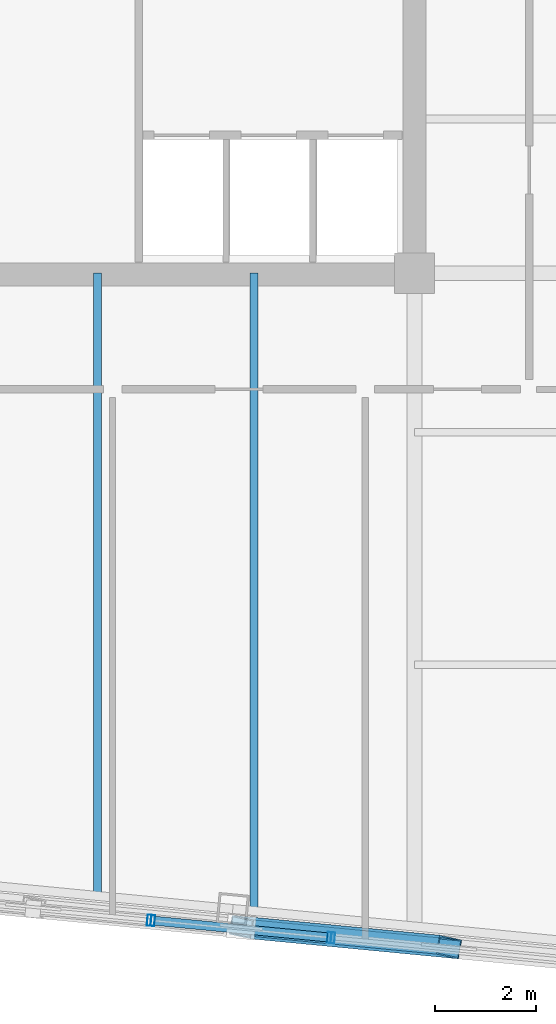
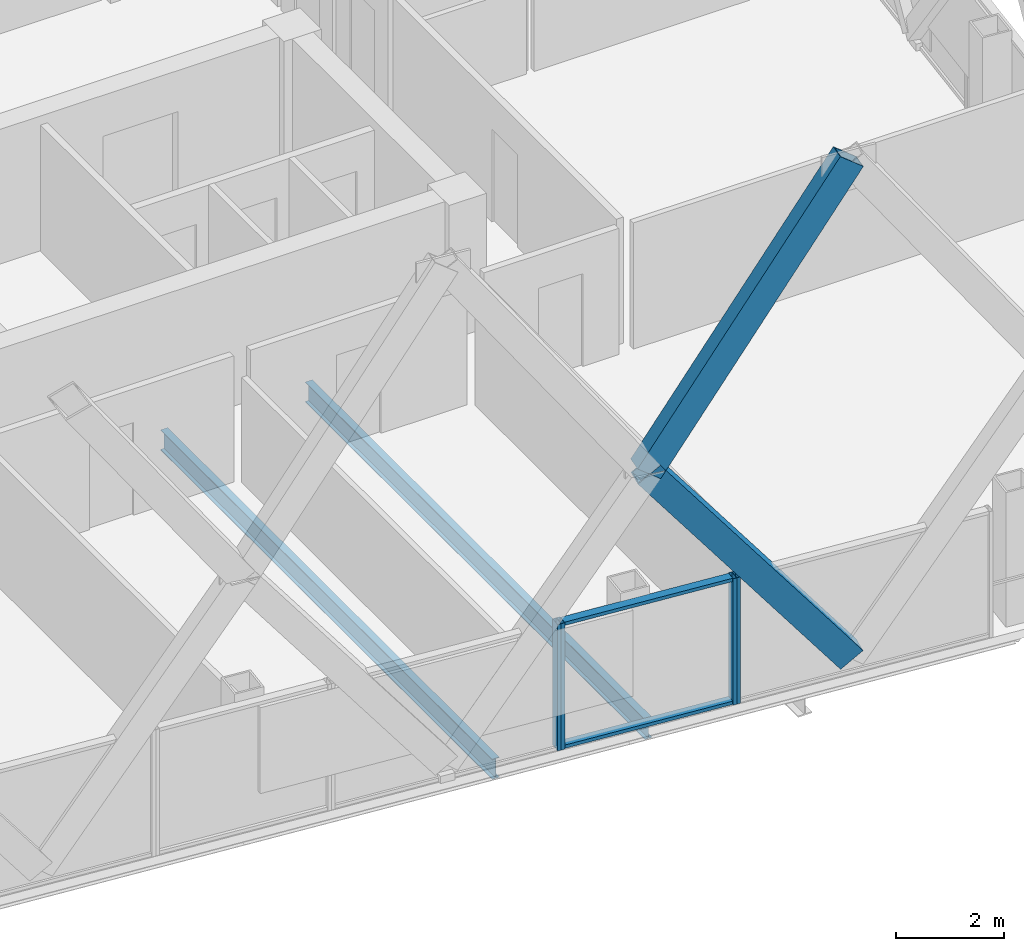
# One storey, part 6 of 25: 8 members, 2 beams, 3 elements without a shape of their own.
"""IFC4 building model written with IfcOpenShell, lengths in metres."""

from ifc_helpers import new_model, si_unit, direction, frame, origin, origin_2d, place, context, subcontext, project, spatial, hollow_rectangle, i_section, extrude, material, layer, layer_set, material_profile, profile_set, type_object, element, aggregate, save


model = new_model("IFC4")

# Units and contexts
model_context = context("Model", 3, precision=1e-05, world=origin(), true_north=direction((0.0, 1.0)))
body_context = subcontext(model_context, "Body", "Model", "MODEL_VIEW")
ifc_project = project(units=[si_unit("LENGTHUNIT", "METRE"), si_unit("AREAUNIT", "SQUARE_METRE"), si_unit("VOLUMEUNIT", "CUBIC_METRE"), si_unit("PLANEANGLEUNIT", "RADIAN"), si_unit("MASSUNIT", "GRAM", prefix="KILO")], contexts=[model_context])

# Site, building, storey
site_placement = place(None, origin())
site = spatial("IfcSite", under=ifc_project, at=site_placement, CompositionType="ELEMENT")
building_placement = place(site_placement, origin())
building = spatial("IfcBuilding", under=site, at=building_placement, Name="Qhalaya Broadcast Tower", CompositionType="ELEMENT")
storey_placement = place(building_placement, frame((0.0, 0.0, 255.050048828125)))
storey = spatial("IfcBuildingStorey", under=building, at=storey_placement, Name="L75", CompositionType="ELEMENT", Elevation=255.050048828125)

# Beams
ifc_material_1 = material(Name="Structural Steel ASTM A992 Grade 50", Category="steel")
ifc_material_profile_1 = material_profile(ifc_material_1, i_section(OverallWidth=0.154052734375, OverallDepth=0.458984375, WebThickness=0.009033203125, FlangeThickness=0.015380859375, at=origin_2d()), Name="W18X46")
ifc_profile_set_1 = profile_set([ifc_material_profile_1], Name="Structural Steel ASTM A992 Grade 50")
beam_type = type_object("IfcBeamType", Name="Composite Floor Joist J04", PredefinedType="JOIST", material=ifc_profile_set_1)
beam_1_placement = place(storey_placement, frame((3.10009765625, -21.058349609375, -0.41943359375), z_axis=(0.0, 1.0, 0.0), x_axis=(-1.0, 0.0, 0.0)))
element("IfcBeam", 1, at=beam_1_placement, inside=storey, type_object=beam_type, Name="L75 J04 L75-JNS4-1", PredefinedType="JOIST", context=body_context, shape_type="SweptSolid", body=[
    extrude(i_section(OverallWidth=0.154052734375, OverallDepth=0.458984375, WebThickness=0.009033203125, FlangeThickness=0.015380859375, at=origin_2d()), origin(), (0.0, 0.0, 1.0), 12.308349609375),
])
beam_2_placement = place(storey_placement, frame((6.199951171875, -21.35693359375, -0.41943359375), z_axis=(0.0, 1.0, 0.0), x_axis=(-1.0, 0.0, 0.0)))
element("IfcBeam", 2, at=beam_2_placement, inside=storey, type_object=beam_type, Name="L75 J04 L75-JNS5-1", PredefinedType="JOIST", context=body_context, shape_type="SweptSolid", body=[
    extrude(i_section(OverallWidth=0.154052734375, OverallDepth=0.458984375, WebThickness=0.009033203125, FlangeThickness=0.015380859375, at=origin_2d()), origin(), (0.0, 0.0, 1.0), 12.60693359375),
])

# Members
ifc_material_2 = material(Name="Structural Steel ASTM A572 Grade 50", Category="steel")
ifc_material_profile_2 = material_profile(ifc_material_2, hollow_rectangle(XDim=0.3798828125, YDim=0.550048828125, WallThickness=0.02490234375, at=origin_2d()), Name="BOX 380x550x25")
ifc_profile_set_2 = profile_set([ifc_material_profile_2], Name="Structural Steel ASTM A572 Grade 50")
member_type_1 = type_object("IfcMemberType", Name="Exoskeleton Diamond Diagonal Upper EX4", PredefinedType="BRACE", material=ifc_profile_set_2)
member_1_placement = place(storey_placement, frame((10.05859375, -22.090087890625, 0.35986328125), z_axis=(-0.605364209609, 0.058266125563, 0.793813096602), x_axis=(-0.171099496091, -0.983527971346, -0.058289724799)))
element("IfcMember", 3, at=member_1_placement, inside=storey, type_object=member_type_1, Name="B6 Exoskeleton Diamond Brace S3-D1", PredefinedType="BRACE", context=body_context, shape_type="SweptSolid", body=[
    extrude(hollow_rectangle(XDim=0.3798828125, YDim=0.550048828125, WallThickness=0.02490234375, at=origin_2d()), origin(), (0.0, 0.0, 1.0), 6.79638671875),
])
member_2_placement = place(storey_placement, frame((5.9443359375, -21.694091796875, 5.7548828125), z_axis=(0.572754517502, -0.055127452373, 0.817871155303), x_axis=(0.17339475171, 0.983307053674, -0.055149780368)))
element("IfcMember", 4, at=member_2_placement, inside=storey, type_object=member_type_1, Name="B6 Exoskeleton Diamond Brace S3-D3", PredefinedType="BRACE", context=body_context, shape_type="SweptSolid", body=[
    extrude(hollow_rectangle(XDim=0.3798828125, YDim=0.550048828125, WallThickness=0.02490234375, at=origin_2d()), origin(), (0.0, 0.0, 1.0), 7.183349609375),
])

# Curtain wall, member
ifc_material_3 = material(Name="Fired Architectural Terracotta", Category="masonry")
ifc_layer_1 = layer(ifc_material_3, 0.219970703125, Name="Fired Architectural Terracotta")
ifc_layer_set_1 = layer_set([ifc_layer_1], Name="Fired Architectural Terracotta")
curtain_wall_type_1 = type_object("IfcCurtainWallType", Name="Block-Cap Unitised Terracotta Spandrel Wall CW-07", PredefinedType="NOTDEFINED", material=ifc_layer_set_1)
curtain_wall_1_placement = place(storey_placement, origin())
curtain_wall_1 = element("IfcCurtainWall", 5, at=curtain_wall_1_placement, inside=storey, type_object=curtain_wall_type_1, Name="L75 Unitised Curtain Wall L75-CW-S3", PredefinedType="NOTDEFINED")
ifc_material_4 = material(Name="Anodised Aluminium 6063-T6", Category="aluminium")
ifc_material_profile_3 = material_profile(ifc_material_4, hollow_rectangle(XDim=0.074951171875, YDim=0.219970703125, WallThickness=0.00390625, at=origin_2d()), Name="ALU-MUL 75x220x4")
ifc_profile_set_3 = profile_set([ifc_material_profile_3], Name="Anodised Aluminium 6063-T6")
member_type_2 = type_object("IfcMemberType", Name="Unitised Curtain-Wall Mullion M01", PredefinedType="MULLION", material=ifc_profile_set_3)
member_3_placement = place(storey_placement, frame((4.12109375, -21.55859375, 0.0), z_axis=(0.0, 0.0, 1.0), x_axis=(0.995394786046, -0.095860418903, 0.0)))
member_3 = element("IfcMember", 6, at=member_3_placement, type_object=member_type_2, Name="CW-07 mullion 2", PredefinedType="MULLION", context=body_context, shape_type="SweptSolid", body=[
    extrude(hollow_rectangle(XDim=0.074951171875, YDim=0.219970703125, WallThickness=0.00390625, at=origin_2d()), origin(), (0.0, 0.0, 1.0), 2.85986328125),
])
aggregate(curtain_wall_1, [member_3])

# Curtain wall, members
ifc_material_5 = material(Name="Solar-Control Low-E Triple Glazing", Category="glass")
ifc_layer_2 = layer(ifc_material_5, 0.219970703125, Name="Solar-Control Low-E Triple Glazing")
ifc_layer_set_2 = layer_set([ifc_layer_2], Name="Solar-Control Low-E Triple Glazing")
curtain_wall_type_2 = type_object("IfcCurtainWallType", Name="High-Altitude Upper-Shaft Triple Low-E Curtain Wall CW-04", PredefinedType="NOTDEFINED", material=ifc_layer_set_2)
curtain_wall_2_placement = place(storey_placement, origin())
curtain_wall_2 = element("IfcCurtainWall", 7, at=curtain_wall_2_placement, inside=storey, type_object=curtain_wall_type_2, Name="L75 Unitised Curtain Wall L75-CW-S4", PredefinedType="NOTDEFINED")
member_4_placement = place(storey_placement, frame((4.19580078125, -21.56591796875, 0.0), z_axis=(0.0, 0.0, 1.0), x_axis=(0.995396792791, -0.095839578992, 0.0)))
member_4 = element("IfcMember", 8, at=member_4_placement, type_object=member_type_2, Name="CW-04 mullion 1", PredefinedType="MULLION", context=body_context, shape_type="SweptSolid", body=[
    extrude(hollow_rectangle(XDim=0.074951171875, YDim=0.219970703125, WallThickness=0.00390625, at=origin_2d()), origin(), (0.0, 0.0, 1.0), 2.85986328125),
])
member_5_placement = place(storey_placement, frame((7.685791015625, -21.90185546875, 0.0), z_axis=(0.0, 0.0, 1.0), x_axis=(0.995396792791, -0.095839578992, 0.0)))
member_5 = element("IfcMember", 9, at=member_5_placement, type_object=member_type_2, Name="CW-04 mullion 2", PredefinedType="MULLION", context=body_context, shape_type="SweptSolid", body=[
    extrude(hollow_rectangle(XDim=0.074951171875, YDim=0.219970703125, WallThickness=0.00390625, at=origin_2d()), origin(), (0.0, 0.0, 1.0), 2.85986328125),
])

# Curtain wall, member
curtain_wall_3_placement = place(storey_placement, origin())
curtain_wall_3 = element("IfcCurtainWall", 10, at=curtain_wall_3_placement, inside=storey, type_object=curtain_wall_type_1, Name="L75 Unitised Curtain Wall L75-CW-S5", PredefinedType="NOTDEFINED")
member_6_placement = place(storey_placement, frame((7.76025390625, -21.9091796875, 0.0), z_axis=(0.0, 0.0, 1.0), x_axis=(0.995395942778, -0.095848406879, 0.0)))
member_6 = element("IfcMember", 11, at=member_6_placement, type_object=member_type_2, Name="CW-07 mullion 1", PredefinedType="MULLION", context=body_context, shape_type="SweptSolid", body=[
    extrude(hollow_rectangle(XDim=0.074951171875, YDim=0.219970703125, WallThickness=0.00390625, at=origin_2d()), origin(), (0.0, 0.0, 1.0), 2.85986328125),
])
aggregate(curtain_wall_3, [member_6])

# Member
ifc_material_profile_4 = material_profile(ifc_material_4, hollow_rectangle(XDim=0.074951171875, YDim=0.179931640625, WallThickness=0.00390625, at=origin_2d()), Name="ALU-TRN 75x180x4")
ifc_profile_set_4 = profile_set([ifc_material_profile_4], Name="Anodised Aluminium 6063-T6")
member_type_3 = type_object("IfcMemberType", Name="Unitised Curtain-Wall Transom T01", PredefinedType="USERDEFINED", material=ifc_profile_set_4)
member_7_placement = place(storey_placement, frame((4.233154296875, -21.569580078125, 0.037353515625), z_axis=(0.995402899656, -0.095776131456, 0.0), x_axis=(0.0, 0.0, 1.0)))
member_7 = element("IfcMember", 12, at=member_7_placement, type_object=member_type_3, Name="CW-04 transom 1.1", ObjectType="TRANSOM", PredefinedType="USERDEFINED", context=body_context, shape_type="SweptSolid", body=[
    extrude(hollow_rectangle(XDim=0.074951171875, YDim=0.179931640625, WallThickness=0.00390625, at=origin_2d()), origin(), (0.0, 0.0, 1.0), 3.43115234375),
])

member_8_placement = place(storey_placement, frame((4.233154296875, -21.569580078125, 2.822509765625), z_axis=(0.995402899656, -0.095776131456, 0.0), x_axis=(0.0, 0.0, 1.0)))
member_8 = element("IfcMember", 13, at=member_8_placement, type_object=member_type_3, Name="CW-04 transom 1.2", ObjectType="TRANSOM", PredefinedType="USERDEFINED", context=body_context, shape_type="SweptSolid", body=[
    extrude(hollow_rectangle(XDim=0.074951171875, YDim=0.179931640625, WallThickness=0.00390625, at=origin_2d()), origin(), (0.0, 0.0, 1.0), 3.43115234375),
])

aggregate(curtain_wall_2, [member_4, member_5, member_7, member_8])

save(model, "model.ifc")
